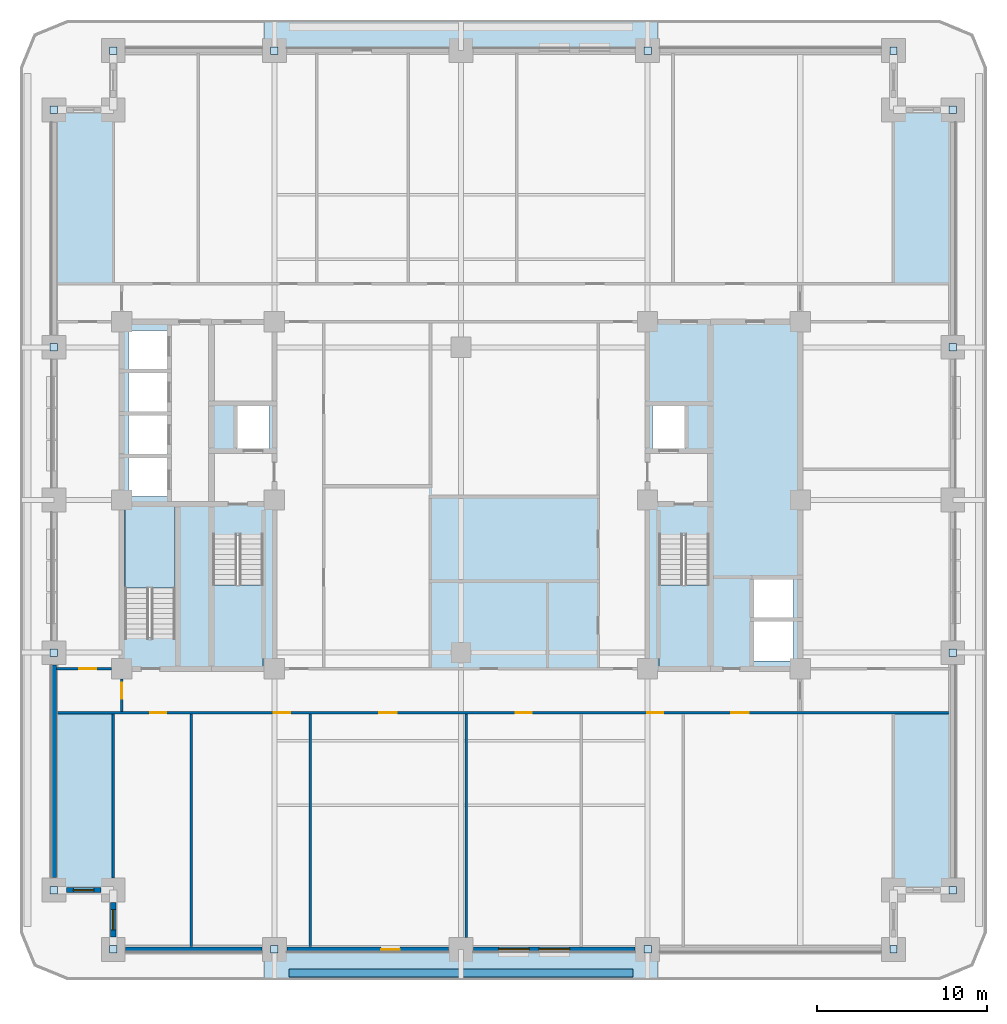
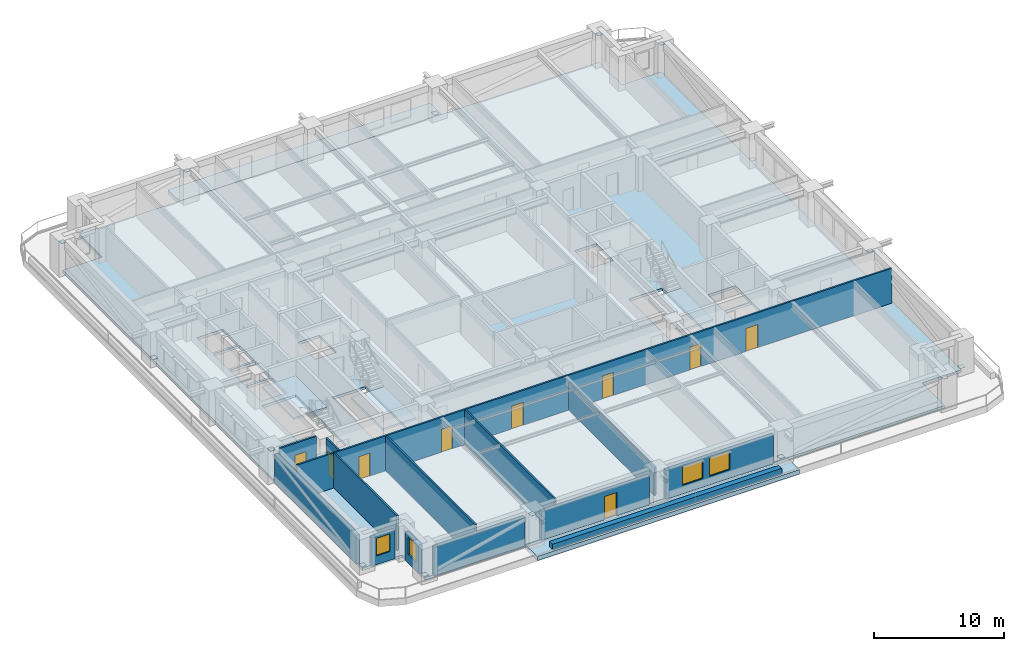
# One storey, part 2 of 14: 16 plates, 14 walls, 9 doors, 6 slabs, 4 windows, 13 openings, 3 elements without a shape of their own.
"""IFC4 building model written with IfcOpenShell, lengths in metres."""

from ifc_helpers import new_model, si_unit, direction, frame, frame_2d, origin, origin_2d, place, context, subcontext, project, spatial, polyline, rectangle, outline, extrude, material, layer, layer_set, type_object, element, fill, aggregate, save


model = new_model("IFC4")

# Units and contexts
model_context = context("Model", 3, precision=1e-05, world=origin(), true_north=direction((0.0, 1.0)))
body_context = subcontext(model_context, "Body", "Model", "MODEL_VIEW")
ifc_project = project(units=[si_unit("LENGTHUNIT", "METRE"), si_unit("AREAUNIT", "SQUARE_METRE"), si_unit("VOLUMEUNIT", "CUBIC_METRE"), si_unit("PLANEANGLEUNIT", "RADIAN"), si_unit("MASSUNIT", "GRAM", prefix="KILO")], contexts=[model_context])

# Site, building, storey
site_placement = place(None, origin())
site = spatial("IfcSite", under=ifc_project, at=site_placement, CompositionType="ELEMENT")
building_placement = place(site_placement, origin())
building = spatial("IfcBuilding", under=site, at=building_placement, Name="Zulmaris Gate Convention Tower", CompositionType="ELEMENT")
storey_placement = place(building_placement, frame((0.0, 0.0, 30.77001953125)))
storey = spatial("IfcBuildingStorey", under=building, at=storey_placement, Name="L06", CompositionType="ELEMENT", Elevation=30.77001953125)

# Plates
ifc_material_1 = material(Name="Steel S460", Category="steel")
ifc_layer_1 = layer(ifc_material_1, 0.02490234375, Name="Steel S460")
ifc_layer_set_1 = layer_set([ifc_layer_1], Name="Steel S460")
plate_type = type_object("IfcPlateType", Name="NP-CAP-440", PredefinedType="USERDEFINED", material=ifc_layer_set_1)
for number, where, z_axis, x_axis, name in (
    (1, (-24.0, -23.0, 0.28759765625), (0.0, 0.0, 1.0), (1.0, 0.0, 0.0), "L06 Steel Node Plate PBR-L06-SW-W-CAP"),
    (2, (-24.0, -9.0, 2.6376953125), (0.0, 0.0, 1.0), (1.0, 0.0, 0.0), "L06 Steel Node Plate PBR-L06-SW-W-CAPB"),
    (3, (-24.0, 9.0, 0.28759765625), (0.0, 0.0, 1.0), (1.0, 0.0, 0.0), "L06 Steel Node Plate PBR-L06-NW-W-CAP"),
    (4, (-24.0, 23.0, 2.6376953125), (0.0, 0.0, 1.0), (1.0, 0.0, 0.0), "L06 Steel Node Plate PBR-L06-NW-W-CAPB"),
    (5, (29.0, -23.0, 0.28759765625), (0.0, 0.0, 1.0), (1.0, 0.0, 0.0), "L06 Steel Node Plate PBR-L06-SE-E-CAP"),
    (6, (29.0, -9.0, 2.6376953125), (0.0, 0.0, 1.0), (1.0, 0.0, 0.0), "L06 Steel Node Plate PBR-L06-SE-E-CAPB"),
    (7, (29.0, 9.0, 0.28759765625), (0.0, 0.0, 1.0), (1.0, 0.0, 0.0), "L06 Steel Node Plate PBR-L06-NE-E-CAP"),
    (8, (29.0, 23.0, 2.6376953125), (0.0, 0.0, 1.0), (1.0, 0.0, 0.0), "L06 Steel Node Plate PBR-L06-NE-E-CAPB"),
    (9, (-20.5, -26.5, 0.28759765625), (0.0, 0.0, 1.0), (1.0, 0.0, 0.0), "L06 Steel Node Plate PBR-L06-SW-S-CAP"),
    (10, (-11.0, -26.5, 2.6376953125), (0.0, 0.0, 1.0), (1.0, 0.0, 0.0), "L06 Steel Node Plate PBR-L06-SW-S-CAPB"),
    (11, (11.0, -26.5, 0.28759765625), (0.0, 0.0, 1.0), (1.0, 0.0, 0.0), "L06 Steel Node Plate PBR-L06-SE-S-CAP"),
    (12, (25.5, -26.5, 2.6376953125), (0.0, 0.0, 1.0), (1.0, 0.0, 0.0), "L06 Steel Node Plate PBR-L06-SE-S-CAPB"),
    (13, (-20.5, 26.5, 0.28759765625), (0.0, 0.0, 1.0), (1.0, 0.0, 0.0), "L06 Steel Node Plate PBR-L06-NW-N-CAP"),
    (14, (-11.0, 26.5, 2.6376953125), (0.0, 0.0, 1.0), (1.0, 0.0, 0.0), "L06 Steel Node Plate PBR-L06-NW-N-CAPB"),
    (15, (11.0, 26.5, 0.28759765625), (0.0, 0.0, 1.0), (1.0, 0.0, 0.0), "L06 Steel Node Plate PBR-L06-NE-N-CAP"),
    (16, (25.5, 26.5, 2.6376953125), (0.0, 0.0, 1.0), (1.0, 0.0, 0.0), "L06 Steel Node Plate PBR-L06-NE-N-CAPB"),
):
    element("IfcPlate", number, at=place(storey_placement, frame(where, z_axis=z_axis, x_axis=x_axis)), inside=storey, type_object=plate_type, Name=name, ObjectType="FLANGE PLATE", PredefinedType="USERDEFINED", context=body_context, shape_type="SweptSolid", body=[
        extrude(rectangle(XDim=0.43994140625, YDim=0.43994140625, at=origin_2d()), origin(), (0.0, 0.0, 1.0), 0.02490234375),
    ])

# Slabs
ifc_material_2 = material(Name="Precast concrete C50/60", Category="concrete")
ifc_layer_2 = layer(ifc_material_2, 0.260009765625, Name="Precast concrete C50/60")
ifc_layer_set_2 = layer_set([ifc_layer_2], Name="Precast concrete C50/60")
slab_type_1 = type_object("IfcSlabType", Name="SL-BAL-260", PredefinedType="FLOOR", material=ifc_layer_set_2)
slab_1_placement = place(storey_placement, frame((0.0, 0.0, -0.449951171875)))
element("IfcSlab", 17, at=slab_1_placement, inside=storey, type_object=slab_type_1, Name="L06 South Tree-Balcony Planter Slab", PredefinedType="FLOOR", context=body_context, shape_type="SweptSolid", body=[
    extrude(outline(polyline([(-11.597900390625, -28.300048828125), (-11.597900390625, -26.5), (11.597900390625, -26.5), (11.597900390625, -28.300048828125), (-11.597900390625, -28.300048828125)])), origin(), (0.0, 0.0, 1.0), 0.409912109375),
])
slab_2_placement = place(storey_placement, frame((0.0, 0.0, -0.449951171875)))
element("IfcSlab", 18, at=slab_2_placement, inside=storey, type_object=slab_type_1, Name="L06 North Tree-Balcony Planter Slab", PredefinedType="FLOOR", context=body_context, shape_type="SweptSolid", body=[
    extrude(outline(polyline([(11.597900390625, 28.300048828125), (11.597900390625, 26.5), (-11.597900390625, 26.5), (-11.597900390625, 28.300048828125), (11.597900390625, 28.300048828125)])), origin(), (0.0, 0.0, 1.0), 0.409912109375),
])
ifc_material_3 = material(Name="Concrete C50/60", Category="concrete")
ifc_layer_3 = layer(ifc_material_3, 0.25, Name="Concrete C50/60")
ifc_layer_set_3 = layer_set([ifc_layer_3], Name="Concrete C50/60")
slab_type_2 = type_object("IfcSlabType", Name="SL-FLR-250", PredefinedType="FLOOR", material=ifc_layer_set_3)
slab_3_placement = place(storey_placement, frame((0.0, 0.0, -0.25)))
element("IfcSlab", 19, at=slab_3_placement, inside=storey, type_object=slab_type_2, Name="L06 Shifted Notched-Square Structural Floor Slab", PredefinedType="FLOOR", context=body_context, shape_type="SweptSolid", body=[
    extrude(outline(polyline([(-20.5, -26.5), (25.5, -26.5), (25.5, -23.0), (29.0, -23.0), (29.0, 23.0), (25.5, 23.0), (25.5, 26.5), (-20.5, 26.5), (-20.5, 23.0), (-24.0, 23.0), (-24.0, -23.0), (-20.5, -23.0), (-20.5, -26.5)]), holes=[polyline([(-14.6201171875, -2.080078125), (-14.6201171875, -9.85009765625), (-11.659912109375, -9.85009765625), (-11.659912109375, -2.080078125), (-14.6201171875, -2.080078125)]), polyline([(11.659912109375, -2.080078125), (11.659912109375, -9.85009765625), (14.6201171875, -9.85009765625), (14.6201171875, -2.080078125), (11.659912109375, -2.080078125)]), polyline([(-16.860107421875, -8.1201171875), (-16.860107421875, -0.35009765625), (-19.820068359375, -0.35009765625), (-19.820068359375, -8.1201171875), (-16.860107421875, -8.1201171875)]), polyline([(-13.199951171875, 3.0), (-11.300048828125, 3.0), (-11.300048828125, 5.60009765625), (-13.199951171875, 5.60009765625), (-13.199951171875, 3.0)]), polyline([(11.300048828125, 3.0), (13.199951171875, 3.0), (13.199951171875, 5.60009765625), (11.300048828125, 5.60009765625), (11.300048828125, 3.0)]), polyline([(-19.60009765625, 0.199951171875), (-17.300048828125, 0.199951171875), (-17.300048828125, 2.5), (-19.60009765625, 2.5), (-19.60009765625, 0.199951171875)]), polyline([(-19.60009765625, 2.699951171875), (-17.300048828125, 2.699951171875), (-17.300048828125, 5.0), (-19.60009765625, 5.0), (-19.60009765625, 2.699951171875)]), polyline([(-19.60009765625, 5.199951171875), (-17.300048828125, 5.199951171875), (-17.300048828125, 7.5), (-19.60009765625, 7.5), (-19.60009765625, 5.199951171875)]), polyline([(-19.60009765625, 7.699951171875), (-17.300048828125, 7.699951171875), (-17.300048828125, 10.0), (-19.60009765625, 10.0), (-19.60009765625, 7.699951171875)]), polyline([(17.199951171875, -9.5), (19.60009765625, -9.5), (19.60009765625, -7.10009765625), (17.199951171875, -7.10009765625), (17.199951171875, -9.5)]), polyline([(17.199951171875, -7.0), (19.60009765625, -7.0), (19.60009765625, -4.60009765625), (17.199951171875, -4.60009765625), (17.199951171875, -7.0)])]), origin(), (0.0, 0.0, 1.0), 0.25),
])

# Stair, slab
ifc_material_4 = material(Name="Concrete C45/55", Category="concrete")
stair_type = type_object("IfcStairType", Name="ST-CORE-DOGLEG", PredefinedType="HALF_TURN_STAIR", material=ifc_material_4)
stair_1_placement = place(storey_placement, origin())
stair_1 = element("IfcStair", 20, at=stair_1_placement, inside=storey, type_object=stair_type, Name="L06 Core Exit Stair ST-1", PredefinedType="HALF_TURN_STAIR")
ifc_layer_4 = layer(ifc_material_4, 0.199951171875, Name="Concrete C45/55")
ifc_layer_set_4 = layer_set([ifc_layer_4], Name="Concrete C45/55")
slab_type_3 = type_object("IfcSlabType", Name="SL-LND-200", PredefinedType="LANDING", material=ifc_layer_set_4)
slab_4_placement = place(storey_placement, frame((0.0, 0.0, 1.5849609375)))
slab_4 = element("IfcSlab", 21, at=slab_4_placement, type_object=slab_type_3, Name="ST-1 landing 1", PredefinedType="LANDING", context=body_context, shape_type="SweptSolid", body=[
    extrude(outline(polyline([(-14.6201171875, -5.0), (-14.6201171875, -9.85009765625), (-11.659912109375, -9.85009765625), (-11.659912109375, -5.0), (-14.6201171875, -5.0)])), origin(), (0.0, 0.0, 1.0), 0.199951171875),
])
aggregate(stair_1, [slab_4])

stair_2_placement = place(storey_placement, origin())
stair_2 = element("IfcStair", 22, at=stair_2_placement, inside=storey, type_object=stair_type, Name="L06 Core Exit Stair ST-2", PredefinedType="HALF_TURN_STAIR")
slab_5_placement = place(storey_placement, frame((0.0, 0.0, 1.5849609375)))
slab_5 = element("IfcSlab", 23, at=slab_5_placement, type_object=slab_type_3, Name="ST-2 landing 1", PredefinedType="LANDING", context=body_context, shape_type="SweptSolid", body=[
    extrude(outline(polyline([(11.659912109375, -5.0), (11.659912109375, -9.85009765625), (14.6201171875, -9.85009765625), (14.6201171875, -5.0), (11.659912109375, -5.0)])), origin(), (0.0, 0.0, 1.0), 0.199951171875),
])
aggregate(stair_2, [slab_5])

stair_3_placement = place(storey_placement, origin())
stair_3 = element("IfcStair", 24, at=stair_3_placement, inside=storey, type_object=stair_type, Name="L06 Core Exit Stair ST-3", PredefinedType="HALF_TURN_STAIR")
slab_6_placement = place(storey_placement, frame((0.0, 0.0, 1.5849609375)))
slab_6 = element("IfcSlab", 25, at=slab_6_placement, type_object=slab_type_3, Name="ST-3 landing 1", PredefinedType="LANDING", context=body_context, shape_type="SweptSolid", body=[
    extrude(outline(polyline([(-16.860107421875, -5.199951171875), (-16.860107421875, -0.35009765625), (-19.820068359375, -0.35009765625), (-19.820068359375, -5.199951171875), (-16.860107421875, -5.199951171875)])), origin(), (0.0, 0.0, 1.0), 0.199951171875),
])
aggregate(stair_3, [slab_6])

# Wall, openings, doors
ifc_material_5 = material(Name="Gypsum Metal Stud Partition")
ifc_layer_5 = layer(ifc_material_5, 0.14990234375, Name="Gypsum Metal Stud Partition")
ifc_layer_set_5 = layer_set([ifc_layer_5], Name="Gypsum Metal Stud Partition")
wall_type_1 = type_object("IfcWallType", Name="PART-150", PredefinedType="PARTITIONING", material=ifc_layer_set_5)
wall_1_placement = place(storey_placement, frame((-23.8349609375, -12.550048828125, 0.0), z_axis=(0.0, 0.0, 1.0), x_axis=(1.0, 0.0, 0.0)))
wall_1 = element("IfcWall", 26, at=wall_1_placement, inside=storey, type_object=wall_type_1, Name="WL-L06-020", PredefinedType="PARTITIONING", context=body_context, shape_type="SweptSolid", body=[
    extrude(rectangle(XDim=52.669921875, YDim=0.14990234375, at=frame_2d((26.3349609375, 0.0))), origin(), (0.0, 0.0, 1.0), 3.27001953125),
])
opening_1_placement = place(wall_1_placement, frame((5.510009765625, 0.0, 0.0)))
opening_1 = element("IfcOpeningElement", 27, at=opening_1_placement, cuts=wall_1, Name="Opening D-11", PredefinedType="OPENING", context=body_context, shape_type="SweptSolid", body=[
    extrude(rectangle(XDim=0.949951171875, YDim=2.14990234375, at=frame_2d((0.47509765625, 1.074951171875))), frame((0.0, 0.0849609375, 0.0), z_axis=(0.0, -1.0, 0.0), x_axis=(1.0, 0.0, 0.0)), (0.0, 0.0, 1.0), 0.169921875),
])
opening_2_placement = place(wall_1_placement, frame((12.81005859375, 0.0, 0.0)))
opening_2 = element("IfcOpeningElement", 28, at=opening_2_placement, cuts=wall_1, Name="Opening D-11", PredefinedType="OPENING", context=body_context, shape_type="SweptSolid", body=[
    extrude(rectangle(XDim=0.949951171875, YDim=2.14990234375, at=frame_2d((0.47509765625, 1.074951171875))), frame((0.0, 0.0849609375, 0.0), z_axis=(0.0, -1.0, 0.0), x_axis=(1.0, 0.0, 0.0)), (0.0, 0.0, 1.0), 0.169921875),
])
opening_3_placement = place(wall_1_placement, frame((19.010009765625, 0.0, 0.0)))
opening_3 = element("IfcOpeningElement", 29, at=opening_3_placement, cuts=wall_1, Name="Opening D-09", PredefinedType="OPENING", context=body_context, shape_type="SweptSolid", body=[
    extrude(rectangle(XDim=1.050048828125, YDim=2.14990234375, at=frame_2d((0.52490234375, 1.074951171875))), frame((0.0, 0.0849609375, 0.0), z_axis=(0.0, -1.0, 0.0), x_axis=(1.0, 0.0, 0.0)), (0.0, 0.0, 1.0), 0.169921875),
])
opening_4_placement = place(wall_1_placement, frame((27.06005859375, 0.0, 0.0)))
opening_4 = element("IfcOpeningElement", 30, at=opening_4_placement, cuts=wall_1, Name="Opening D-11", PredefinedType="OPENING", context=body_context, shape_type="SweptSolid", body=[
    extrude(rectangle(XDim=0.949951171875, YDim=2.14990234375, at=frame_2d((0.47509765625, 1.074951171875))), frame((0.0, 0.0849609375, 0.0), z_axis=(0.0, -1.0, 0.0), x_axis=(1.0, 0.0, 0.0)), (0.0, 0.0, 1.0), 0.169921875),
])
opening_5_placement = place(wall_1_placement, frame((34.81005859375, 0.0, 0.0)))
opening_5 = element("IfcOpeningElement", 31, at=opening_5_placement, cuts=wall_1, Name="Opening D-11", PredefinedType="OPENING", context=body_context, shape_type="SweptSolid", body=[
    extrude(rectangle(XDim=0.949951171875, YDim=2.14990234375, at=frame_2d((0.47509765625, 1.074951171875))), frame((0.0, 0.0849609375, 0.0), z_axis=(0.0, -1.0, 0.0), x_axis=(1.0, 0.0, 0.0)), (0.0, 0.0, 1.0), 0.169921875),
])
opening_6_placement = place(wall_1_placement, frame((39.760009765625, 0.0, 0.0)))
opening_6 = element("IfcOpeningElement", 32, at=opening_6_placement, cuts=wall_1, Name="Opening D-09", PredefinedType="OPENING", context=body_context, shape_type="SweptSolid", body=[
    extrude(rectangle(XDim=1.050048828125, YDim=2.14990234375, at=frame_2d((0.52490234375, 1.074951171875))), frame((0.0, 0.0849609375, 0.0), z_axis=(0.0, -1.0, 0.0), x_axis=(1.0, 0.0, 0.0)), (0.0, 0.0, 1.0), 0.169921875),
])
ifc_material_6 = material(Name="Fire-Rated Steel", Category="steel")
door_type_1 = type_object("IfcDoorType", Name="DR-1050-FD", OperationType="NOTDEFINED", PredefinedType="DOOR", material=ifc_material_6)
door_1_placement = place(opening_3_placement, origin())
door_1 = element("IfcDoor", 33, at=door_1_placement, inside=storey, type_object=door_type_1, Name="L06 Legal Library Room Door 29", OperationType="SINGLE_SWING_RIGHT", OverallHeight=2.14990234375, OverallWidth=1.050048828125, PredefinedType="DOOR", context=body_context, shape_type="SweptSolid", body=[
    extrude(rectangle(XDim=1.050048828125, YDim=2.14990234375, at=frame_2d((0.52490234375, 1.074951171875))), frame((0.0, 0.02490234375, 0.0), z_axis=(0.0, -1.0, 0.0), x_axis=(1.0, 0.0, 0.0)), (0.0, 0.0, 1.0), 0.050048828125),
])
fill(opening_3, door_1)
door_2_placement = place(opening_6_placement, origin())
door_2 = element("IfcDoor", 34, at=door_2_placement, inside=storey, type_object=door_type_1, Name="L06 Quiet Focus Study Door 32", OperationType="SINGLE_SWING_LEFT", OverallHeight=2.14990234375, OverallWidth=1.050048828125, PredefinedType="DOOR", context=body_context, shape_type="SweptSolid", body=[
    extrude(rectangle(XDim=1.050048828125, YDim=2.14990234375, at=frame_2d((0.52490234375, 1.074951171875))), frame((0.0, 0.02490234375, 0.0), z_axis=(0.0, -1.0, 0.0), x_axis=(1.0, 0.0, 0.0)), (0.0, 0.0, 1.0), 0.050048828125),
])
fill(opening_6, door_2)
ifc_material_7 = material(Name="Fire-Rated Timber", Category="wood")
door_type_2 = type_object("IfcDoorType", Name="DR-950-FD", OperationType="NOTDEFINED", PredefinedType="DOOR", material=ifc_material_7)
door_3_placement = place(opening_1_placement, origin())
door_3 = element("IfcDoor", 35, at=door_3_placement, inside=storey, type_object=door_type_2, Name="L06 Research Reading Room Door 27", OperationType="SINGLE_SWING_RIGHT", OverallHeight=2.14990234375, OverallWidth=0.949951171875, PredefinedType="DOOR", context=body_context, shape_type="SweptSolid", body=[
    extrude(rectangle(XDim=0.949951171875, YDim=2.14990234375, at=frame_2d((0.47509765625, 1.074951171875))), frame((0.0, 0.02490234375, 0.0), z_axis=(0.0, -1.0, 0.0), x_axis=(1.0, 0.0, 0.0)), (0.0, 0.0, 1.0), 0.050048828125),
])
fill(opening_1, door_3)
door_4_placement = place(opening_2_placement, origin())
door_4 = element("IfcDoor", 36, at=door_4_placement, inside=storey, type_object=door_type_2, Name="L06 Quiet Focus Study Door 28", OperationType="SINGLE_SWING_LEFT", OverallHeight=2.14990234375, OverallWidth=0.949951171875, PredefinedType="DOOR", context=body_context, shape_type="SweptSolid", body=[
    extrude(rectangle(XDim=0.949951171875, YDim=2.14990234375, at=frame_2d((0.47509765625, 1.074951171875))), frame((0.0, 0.02490234375, 0.0), z_axis=(0.0, -1.0, 0.0), x_axis=(1.0, 0.0, 0.0)), (0.0, 0.0, 1.0), 0.050048828125),
])
fill(opening_2, door_4)
door_5_placement = place(opening_4_placement, origin())
door_5 = element("IfcDoor", 37, at=door_5_placement, inside=storey, type_object=door_type_2, Name="L06 Editorial Focus Suite Door 30", OperationType="SINGLE_SWING_LEFT", OverallHeight=2.14990234375, OverallWidth=0.949951171875, PredefinedType="DOOR", context=body_context, shape_type="SweptSolid", body=[
    extrude(rectangle(XDim=0.949951171875, YDim=2.14990234375, at=frame_2d((0.47509765625, 1.074951171875))), frame((0.0, 0.02490234375, 0.0), z_axis=(0.0, -1.0, 0.0), x_axis=(1.0, 0.0, 0.0)), (0.0, 0.0, 1.0), 0.050048828125),
])
fill(opening_4, door_5)
door_6_placement = place(opening_5_placement, origin())
door_6 = element("IfcDoor", 38, at=door_6_placement, inside=storey, type_object=door_type_2, Name="L06 Research Reading Room Door 31", OperationType="SINGLE_SWING_RIGHT", OverallHeight=2.14990234375, OverallWidth=0.949951171875, PredefinedType="DOOR", context=body_context, shape_type="SweptSolid", body=[
    extrude(rectangle(XDim=0.949951171875, YDim=2.14990234375, at=frame_2d((0.47509765625, 1.074951171875))), frame((0.0, 0.02490234375, 0.0), z_axis=(0.0, -1.0, 0.0), x_axis=(1.0, 0.0, 0.0)), (0.0, 0.0, 1.0), 0.050048828125),
])
fill(opening_5, door_6)

# Wall, opening, door
wall_2_placement = place(storey_placement, frame((-23.8349609375, -9.949951171875, 0.0), z_axis=(0.0, 0.0, 1.0), x_axis=(1.0, 0.0, 0.0)))
wall_2 = element("IfcWall", 39, at=wall_2_placement, inside=storey, type_object=wall_type_1, Name="WL-L06-021", PredefinedType="PARTITIONING", context=body_context, shape_type="SweptSolid", body=[
    extrude(rectangle(XDim=3.22900390625, YDim=0.14990234375, at=frame_2d((1.614501953125, 0.0))), origin(), (0.0, 0.0, 1.0), 3.27001953125),
])
opening_7_placement = place(wall_2_placement, frame((1.3349609375, 0.0, 0.0)))
opening_7 = element("IfcOpeningElement", 40, at=opening_7_placement, cuts=wall_2, Name="Opening D-10", PredefinedType="OPENING", context=body_context, shape_type="SweptSolid", body=[
    extrude(rectangle(XDim=1.0, YDim=2.14990234375, at=frame_2d((0.5, 1.074951171875))), frame((0.0, 0.0849609375, 0.0), z_axis=(0.0, -1.0, 0.0), x_axis=(1.0, 0.0, 0.0)), (0.0, 0.0, 1.0), 0.169921875),
])
door_type_3 = type_object("IfcDoorType", Name="DR-1000-FD", OperationType="NOTDEFINED", PredefinedType="DOOR", material=ifc_material_7)
door_7_placement = place(opening_7_placement, origin())
door_7 = element("IfcDoor", 41, at=door_7_placement, inside=storey, type_object=door_type_3, Name="L06 West Workplace South Door 42", OperationType="SINGLE_SWING_LEFT", OverallHeight=2.14990234375, OverallWidth=1.0, PredefinedType="DOOR", context=body_context, shape_type="SweptSolid", body=[
    extrude(rectangle(XDim=1.0, YDim=2.14990234375, at=frame_2d((0.5, 1.074951171875))), frame((0.0, 0.02490234375, 0.0), z_axis=(0.0, -1.0, 0.0), x_axis=(1.0, 0.0, 0.0)), (0.0, 0.0, 1.0), 0.050048828125),
])
fill(opening_7, door_7)

# Wall
wall_3_placement = place(storey_placement, frame((-20.5, -22.2939453125, 0.0), z_axis=(0.0, 0.0, 1.0), x_axis=(0.0, 1.0, 0.0)))
element("IfcWall", 42, at=wall_3_placement, inside=storey, type_object=wall_type_1, Name="WL-L06-068", PredefinedType="PARTITIONING", context=body_context, shape_type="SweptSolid", body=[
    extrude(rectangle(XDim=9.666015625, YDim=0.14990234375, at=frame_2d((4.8330078125, 0.0))), origin(), (0.0, 0.0, 1.0), 3.27001953125),
])

# Wall, opening, door
wall_4_placement = place(storey_placement, frame((-20.0, -12.471923828125, 0.0), z_axis=(0.0, 0.0, 1.0), x_axis=(0.0, 1.0, 0.0)))
wall_4 = element("IfcWall", 43, at=wall_4_placement, inside=storey, type_object=wall_type_1, Name="WL-L06-070", PredefinedType="PARTITIONING", context=body_context, shape_type="SweptSolid", body=[
    extrude(rectangle(XDim=1.916015625, YDim=0.14990234375, at=frame_2d((0.9580078125, 0.0))), origin(), (0.0, 0.0, 1.0), 3.27001953125),
])
opening_8_placement = place(wall_4_placement, frame((0.7470703125, 0.0, 0.0)))
opening_8 = element("IfcOpeningElement", 44, at=opening_8_placement, cuts=wall_4, Name="Opening D-11", PredefinedType="OPENING", context=body_context, shape_type="SweptSolid", body=[
    extrude(rectangle(XDim=0.949951171875, YDim=2.14990234375, at=frame_2d((0.47509765625, 1.074951171875))), frame((0.0, 0.0849609375, 0.0), z_axis=(0.0, -1.0, 0.0), x_axis=(1.0, 0.0, 0.0)), (0.0, 0.0, 1.0), 0.169921875),
])
door_8_placement = place(opening_8_placement, origin())
door_8 = element("IfcDoor", 45, at=door_8_placement, inside=storey, type_object=door_type_2, Name="L06 SW Spur Door 40", OperationType="SINGLE_SWING_LEFT", OverallHeight=2.14990234375, OverallWidth=0.949951171875, PredefinedType="DOOR", context=body_context, shape_type="SweptSolid", body=[
    extrude(rectangle(XDim=0.949951171875, YDim=2.14990234375, at=frame_2d((0.47509765625, 1.074951171875))), frame((0.0, 0.02490234375, 0.0), z_axis=(0.0, -1.0, 0.0), x_axis=(1.0, 0.0, 0.0)), (0.0, 0.0, 1.0), 0.050048828125),
])
fill(opening_8, door_8)

# Walls
for number, where, z_axis, x_axis, name in (
    (46, (-15.89990234375, -26.3349609375, 0.0), (0.0, 0.0, 1.0), (0.0, 1.0, 0.0), "WL-L06-072"),
    (47, (-8.89990234375, -26.3349609375, 0.0), (0.0, 0.0, 1.0), (0.0, 1.0, 0.0), "WL-L06-074"),
):
    element("IfcWall", number, at=place(storey_placement, frame(where, z_axis=z_axis, x_axis=x_axis)), inside=storey, type_object=wall_type_1, Name=name, PredefinedType="PARTITIONING", context=body_context, shape_type="SweptSolid", body=[
        extrude(rectangle(XDim=13.70703125, YDim=0.14990234375, at=frame_2d((6.853515625, 0.0))), origin(), (0.0, 0.0, 1.0), 3.27001953125),
    ])
wall_5_placement = place(storey_placement, frame((0.300048828125, -25.7939453125, 0.0), z_axis=(0.0, 0.0, 1.0), x_axis=(0.0, 1.0, 0.0)))
element("IfcWall", 48, at=wall_5_placement, inside=storey, type_object=wall_type_1, Name="WL-L06-083", PredefinedType="PARTITIONING", context=body_context, shape_type="SweptSolid", body=[
    extrude(rectangle(XDim=13.166015625, YDim=0.14990234375, at=frame_2d((6.5830078125, 0.0))), origin(), (0.0, 0.0, 1.0), 2.610107421875),
])
ifc_material_8 = material(Name="Botanical Green Glazed Precast Concrete C40/50", Category="concrete")
ifc_layer_6 = layer(ifc_material_8, 0.419921875, Name="Botanical Green Glazed Precast Concrete C40/50")
ifc_layer_set_6 = layer_set([ifc_layer_6], Name="Botanical Green Glazed Precast Concrete C40/50")
wall_type_2 = type_object("IfcWallType", Name="PLANTER-CURB-200", PredefinedType="PARAPET", material=ifc_layer_set_6)
wall_6_placement = place(storey_placement, frame((-10.14990234375, -27.8798828125, -0.0400390625), z_axis=(0.0, 0.0, 1.0), x_axis=(1.0, 0.0, 0.0)))
element("IfcWall", 49, at=wall_6_placement, inside=storey, type_object=wall_type_2, Name="L06 Full-Length Balcony Tree Planter Trough", PredefinedType="PARAPET", context=body_context, shape_type="SweptSolid", body=[
    extrude(rectangle(XDim=20.2998046875, YDim=0.47998046875, at=frame_2d((10.14990234375, 0.0))), origin(), (0.0, 0.0, 1.0), 0.52001953125),
])

# Wall, opening, window
ifc_material_9 = material(Name="Precast concrete C40/50", Category="concrete")
ifc_layer_7 = layer(ifc_material_9, 0.300048828125, Name="Precast concrete C40/50")
ifc_layer_set_7 = layer_set([ifc_layer_7], Name="Precast concrete C40/50")
wall_type_3 = type_object("IfcWallType", Name="PRECAST-PIER-300", PredefinedType="STANDARD", material=ifc_layer_set_7)
wall_7_placement = place(storey_placement, frame((-23.27001953125, -23.0, 0.0), z_axis=(0.0, 0.0, 1.0), x_axis=(1.0, 0.0, 0.0)))
wall_7 = element("IfcWall", 50, at=wall_7_placement, inside=storey, type_object=wall_type_3, Name="EW-L06-NOTCH-SW1_0", PredefinedType="STANDARD", context=body_context, shape_type="SweptSolid", body=[
    extrude(rectangle(XDim=2.0400390625, YDim=0.300048828125, at=frame_2d((1.02001953125, 0.0))), origin(), (0.0, 0.0, 1.0), 2.662109375),
])
opening_9_placement = place(wall_7_placement, frame((0.419921875, 0.0, 0.820068359375)))
opening_9 = element("IfcOpeningElement", 51, at=opening_9_placement, cuts=wall_7, Name="Opening W-04", PredefinedType="OPENING", context=body_context, shape_type="SweptSolid", body=[
    extrude(rectangle(XDim=1.199951171875, YDim=1.64990234375, at=frame_2d((0.60009765625, 0.824951171875))), frame((0.0, 0.16015625, 0.0), z_axis=(0.0, -1.0, 0.0), x_axis=(1.0, 0.0, 0.0)), (0.0, 0.0, 1.0), 0.320068359375),
])
ifc_material_10 = material(Name="Low-E Laminated Double Glazing in Aluminium Frame", Category="aluminium")
window_type_1 = type_object("IfcWindowType", Name="WIN-1200x2100", PartitioningType="SINGLE_PANEL", PredefinedType="WINDOW", material=ifc_material_10)
window_1_placement = place(opening_9_placement, origin())
window_1 = element("IfcWindow", 52, at=window_1_placement, inside=storey, type_object=window_type_1, Name="WN-EW-L06-NOTCH-SW1_0", OverallHeight=1.64990234375, OverallWidth=1.199951171875, PartitioningType="SINGLE_PANEL", PredefinedType="WINDOW", context=body_context, shape_type="SweptSolid", body=[
    extrude(rectangle(XDim=1.199951171875, YDim=1.64990234375, at=frame_2d((0.60009765625, 0.824951171875))), frame((0.0, 0.030029296875, 0.0), z_axis=(0.0, -1.0, 0.0), x_axis=(1.0, 0.0, 0.0)), (0.0, 0.0, 1.0), 0.06005859375),
])
fill(opening_9, window_1)

wall_8_placement = place(storey_placement, frame((-20.5, -23.72998046875, 0.0), z_axis=(0.0, 0.0, 1.0), x_axis=(0.0, -1.0, 0.0)))
wall_8 = element("IfcWall", 53, at=wall_8_placement, inside=storey, type_object=wall_type_3, Name="EW-L06-NOTCH-SW2_0", PredefinedType="STANDARD", context=body_context, shape_type="SweptSolid", body=[
    extrude(rectangle(XDim=2.0400390625, YDim=0.300048828125, at=frame_2d((1.02001953125, 0.0))), origin(), (0.0, 0.0, 1.0), 2.662109375),
])
opening_10_placement = place(wall_8_placement, frame((0.419921875, 0.0, 0.820068359375)))
opening_10 = element("IfcOpeningElement", 54, at=opening_10_placement, cuts=wall_8, Name="Opening W-04", PredefinedType="OPENING", context=body_context, shape_type="SweptSolid", body=[
    extrude(rectangle(XDim=1.199951171875, YDim=1.64990234375, at=frame_2d((0.60009765625, 0.824951171875))), frame((0.0, 0.16015625, 0.0), z_axis=(0.0, -1.0, 0.0), x_axis=(1.0, 0.0, 0.0)), (0.0, 0.0, 1.0), 0.320068359375),
])
window_2_placement = place(opening_10_placement, origin())
window_2 = element("IfcWindow", 55, at=window_2_placement, inside=storey, type_object=window_type_1, Name="WN-EW-L06-NOTCH-SW2_0", OverallHeight=1.64990234375, OverallWidth=1.199951171875, PartitioningType="SINGLE_PANEL", PredefinedType="WINDOW", context=body_context, shape_type="SweptSolid", body=[
    extrude(rectangle(XDim=1.199951171875, YDim=1.64990234375, at=frame_2d((0.60009765625, 0.824951171875))), frame((0.0, 0.030029296875, 0.0), z_axis=(0.0, -1.0, 0.0), x_axis=(1.0, 0.0, 0.0)), (0.0, 0.0, 1.0), 0.06005859375),
])
fill(opening_10, window_2)

# Wall
wall_9_placement = place(storey_placement, frame((-19.77001953125, -26.5, 0.0), z_axis=(0.0, 0.0, 1.0), x_axis=(1.0, 0.0, 0.0)))
element("IfcWall", 56, at=wall_9_placement, inside=storey, type_object=wall_type_3, Name="EW-L06-S-0_0", PredefinedType="STANDARD", context=body_context, shape_type="SweptSolid", body=[
    extrude(rectangle(XDim=8.0400390625, YDim=0.300048828125, at=frame_2d((4.02001953125, 0.0))), origin(), (0.0, 0.0, 1.0), 2.662109375),
])

# Wall, opening, door
wall_10_placement = place(storey_placement, frame((-10.27001953125, -26.5, 0.0), z_axis=(0.0, 0.0, 1.0), x_axis=(1.0, 0.0, 0.0)))
wall_10 = element("IfcWall", 57, at=wall_10_placement, inside=storey, type_object=wall_type_3, Name="EW-L06-S-1_0", PredefinedType="STANDARD", context=body_context, shape_type="SweptSolid", body=[
    extrude(rectangle(XDim=9.5400390625, YDim=0.300048828125, at=frame_2d((4.77001953125, 0.0))), origin(), (0.0, 0.0, 1.0), 2.662109375),
])
opening_11_placement = place(wall_10_placement, frame((5.56005859375, 0.0, 0.0)))
opening_11 = element("IfcOpeningElement", 58, at=opening_11_placement, cuts=wall_10, Name="Opening D-04", PredefinedType="OPENING", context=body_context, shape_type="SweptSolid", body=[
    extrude(rectangle(XDim=1.10009765625, YDim=2.14990234375, at=frame_2d((0.550048828125, 1.074951171875))), frame((0.0, 0.16015625, 0.0), z_axis=(0.0, -1.0, 0.0), x_axis=(1.0, 0.0, 0.0)), (0.0, 0.0, 1.0), 0.320068359375),
])
ifc_material_11 = material(Name="Anodised Aluminium and Laminated Glass", Category="aluminium")
door_type_4 = type_object("IfcDoorType", Name="ED-1100", OperationType="SINGLE_SWING_RIGHT", PredefinedType="DOOR", material=ifc_material_11)
door_9_placement = place(opening_11_placement, origin())
door_9 = element("IfcDoor", 59, at=door_9_placement, inside=storey, type_object=door_type_4, Name="L06 S Planted Terrace Door", OperationType="SINGLE_SWING_RIGHT", OverallHeight=2.14990234375, OverallWidth=1.10009765625, PredefinedType="DOOR", context=body_context, shape_type="SweptSolid", body=[
    extrude(rectangle(XDim=1.10009765625, YDim=2.14990234375, at=frame_2d((0.550048828125, 1.074951171875))), frame((0.0, 0.02490234375, 0.0), z_axis=(0.0, -1.0, 0.0), x_axis=(1.0, 0.0, 0.0)), (0.0, 0.0, 1.0), 0.050048828125),
])
fill(opening_11, door_9)

# Wall, openings, windows
wall_11_placement = place(storey_placement, frame((0.72998046875, -26.5, 0.0), z_axis=(0.0, 0.0, 1.0), x_axis=(1.0, 0.0, 0.0)))
wall_11 = element("IfcWall", 60, at=wall_11_placement, inside=storey, type_object=wall_type_3, Name="EW-L06-S-2_0", PredefinedType="STANDARD", context=body_context, shape_type="SweptSolid", body=[
    extrude(rectangle(XDim=9.5400390625, YDim=0.300048828125, at=frame_2d((4.77001953125, 0.0))), origin(), (0.0, 0.0, 1.0), 2.662109375),
])
opening_12_placement = place(wall_11_placement, frame((1.485107421875, 0.0, 0.780029296875)))
opening_12 = element("IfcOpeningElement", 61, at=opening_12_placement, cuts=wall_11, Name="Opening W-02", PredefinedType="OPENING", context=body_context, shape_type="SweptSolid", body=[
    extrude(rectangle(XDim=1.800048828125, YDim=1.719970703125, at=frame_2d((0.89990234375, 0.85986328125))), frame((0.0, 0.16015625, 0.0), z_axis=(0.0, -1.0, 0.0), x_axis=(1.0, 0.0, 0.0)), (0.0, 0.0, 1.0), 0.320068359375),
])
opening_13_placement = place(wall_11_placement, frame((3.8701171875, 0.0, 0.780029296875)))
opening_13 = element("IfcOpeningElement", 62, at=opening_13_placement, cuts=wall_11, Name="Opening W-02", PredefinedType="OPENING", context=body_context, shape_type="SweptSolid", body=[
    extrude(rectangle(XDim=1.800048828125, YDim=1.719970703125, at=frame_2d((0.89990234375, 0.85986328125))), frame((0.0, 0.16015625, 0.0), z_axis=(0.0, -1.0, 0.0), x_axis=(1.0, 0.0, 0.0)), (0.0, 0.0, 1.0), 0.320068359375),
])
window_type_2 = type_object("IfcWindowType", Name="WIN-1800x2200", PartitioningType="SINGLE_PANEL", PredefinedType="WINDOW", material=ifc_material_10)
window_3_placement = place(opening_12_placement, origin())
window_3 = element("IfcWindow", 63, at=window_3_placement, inside=storey, type_object=window_type_2, Name="WN-EW-L06-S-2_0-1", OverallHeight=1.719970703125, OverallWidth=1.800048828125, PartitioningType="SINGLE_PANEL", PredefinedType="WINDOW", context=body_context, shape_type="SweptSolid", body=[
    extrude(rectangle(XDim=1.800048828125, YDim=1.719970703125, at=frame_2d((0.89990234375, 0.85986328125))), frame((0.0, 0.030029296875, 0.0), z_axis=(0.0, -1.0, 0.0), x_axis=(1.0, 0.0, 0.0)), (0.0, 0.0, 1.0), 0.06005859375),
])
fill(opening_12, window_3)
window_4_placement = place(opening_13_placement, origin())
window_4 = element("IfcWindow", 64, at=window_4_placement, inside=storey, type_object=window_type_2, Name="WN-EW-L06-S-2_0-2", OverallHeight=1.719970703125, OverallWidth=1.800048828125, PartitioningType="SINGLE_PANEL", PredefinedType="WINDOW", context=body_context, shape_type="SweptSolid", body=[
    extrude(rectangle(XDim=1.800048828125, YDim=1.719970703125, at=frame_2d((0.89990234375, 0.85986328125))), frame((0.0, 0.030029296875, 0.0), z_axis=(0.0, -1.0, 0.0), x_axis=(1.0, 0.0, 0.0)), (0.0, 0.0, 1.0), 0.06005859375),
])
fill(opening_13, window_4)

# Wall
wall_12_placement = place(storey_placement, frame((-24.0, -9.72998046875, 0.0), z_axis=(0.0, 0.0, 1.0), x_axis=(0.0, -1.0, 0.0)))
element("IfcWall", 65, at=wall_12_placement, inside=storey, type_object=wall_type_3, Name="EW-L06-W-0_0", PredefinedType="STANDARD", context=body_context, shape_type="SweptSolid", body=[
    extrude(rectangle(XDim=12.5400390625, YDim=0.300048828125, at=frame_2d((6.27001953125, 0.0))), origin(), (0.0, 0.0, 1.0), 2.662109375),
])

save(model, "model.ifc")
